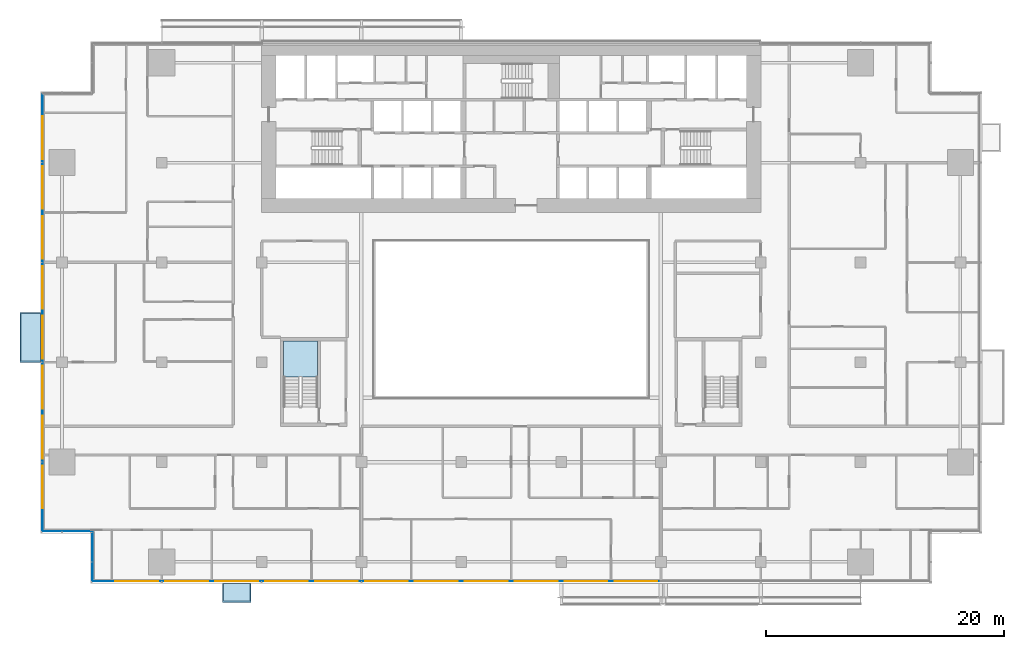
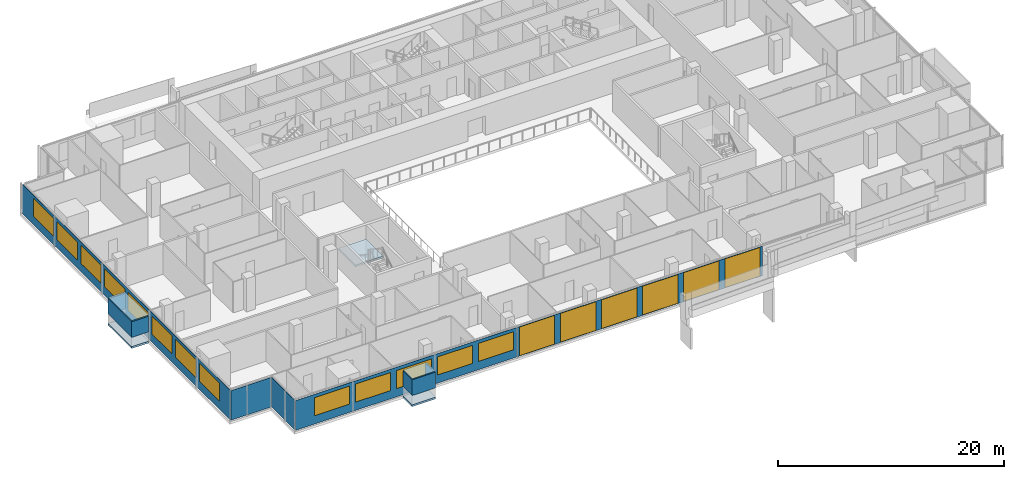
# One storey, part 14 of 27: 19 windows, 9 plates, 3 slabs, 19 openings, 5 elements without a shape of their own.
"""IFC4 building model written with IfcOpenShell, lengths in metres."""

from ifc_helpers import new_model, si_unit, direction, frame, frame_2d, origin, place, context, subcontext, project, spatial, polyline, rectangle, outline, extrude, material, layer, layer_set, type_object, element, fill, aggregate, save


model = new_model("IFC4")

# Units and contexts
model_context = context("Model", 3, precision=1e-05, world=origin(), true_north=direction((0.0, 1.0)))
body_context = subcontext(model_context, "Body", "Model", "MODEL_VIEW")
ifc_project = project(units=[si_unit("LENGTHUNIT", "METRE"), si_unit("AREAUNIT", "SQUARE_METRE"), si_unit("VOLUMEUNIT", "CUBIC_METRE"), si_unit("PLANEANGLEUNIT", "RADIAN"), si_unit("MASSUNIT", "GRAM", prefix="KILO")], contexts=[model_context])

# Site, building, storey
site_placement = place(None, origin())
site = spatial("IfcSite", under=ifc_project, at=site_placement, CompositionType="ELEMENT")
building_placement = place(site_placement, origin())
building = spatial("IfcBuilding", under=site, at=building_placement, Name="Saffron Gate Tower", CompositionType="ELEMENT")
storey_placement = place(building_placement, frame((0.0, 0.0, 66.0)))
storey = spatial("IfcBuildingStorey", under=building, at=storey_placement, Name="L15", CompositionType="ELEMENT", Elevation=66.0)

# Curtain wall, plates, openings, windows
ifc_material_1 = material(Name="Aluminium, bronze anodised", Category="aluminium")
curtain_wall_type_1 = type_object("IfcCurtainWallType", Name="CWS1 curtain wall front facade", PredefinedType="NOTDEFINED", material=ifc_material_1)
curtain_wall_1_placement = place(storey_placement, origin())
curtain_wall_1 = element("IfcCurtainWall", 1, at=curtain_wall_1_placement, inside=storey, type_object=curtain_wall_type_1, Name="CWS1 run 1", PredefinedType="NOTDEFINED")
ifc_material_2 = material(Name="Clear low-iron laminated glass", Category="glass")
ifc_layer_1 = layer(ifc_material_2, 0.028076171875)
ifc_layer_set_1 = layer_set([ifc_layer_1], Name="CWS1 clear glass")
plate_type_1 = type_object("IfcPlateType", Name="CWS1 clear glass", PredefinedType="CURTAIN_PANEL", material=ifc_layer_set_1)
plate_1_placement = place(storey_placement, frame((75.030029296875, 30.174072265625, 0.0), z_axis=(0.0, 0.0, 1.0), x_axis=(1.0, 0.0, 0.0)))
plate_1 = element("IfcPlate", 2, at=plate_1_placement, type_object=plate_type_1, Name="CWS1 clear glass panel", PredefinedType="CURTAIN_PANEL", context=body_context, shape_type="SweptSolid", body=[
    extrude(rectangle(XDim=25.139892578125, YDim=0.028076171875, at=frame_2d((12.56982421875, 0.0))), origin(), (0.0, 0.0, 1.0), 3.199951171875),
])
opening_1_placement = place(plate_1_placement, frame((0.27001953125, 0.0, 0.050048828125)))
opening_1 = element("IfcOpeningElement", 3, at=opening_1_placement, cuts=plate_1, Name="Opening WA", PredefinedType="OPENING", context=body_context, shape_type="SweptSolid", body=[
    extrude(rectangle(XDim=3.60009765625, YDim=3.10009765625, at=frame_2d((1.800048828125, 1.550048828125))), frame((0.0, 0.02392578125, 0.0), z_axis=(0.0, -1.0, 0.0), x_axis=(1.0, 0.0, 0.0)), (0.0, 0.0, 1.0), 0.048095703125),
])
opening_2_placement = place(plate_1_placement, frame((4.469970703125, 0.0, 0.050048828125)))
opening_2 = element("IfcOpeningElement", 4, at=opening_2_placement, cuts=plate_1, Name="Opening WA", PredefinedType="OPENING", context=body_context, shape_type="SweptSolid", body=[
    extrude(rectangle(XDim=3.60009765625, YDim=3.10009765625, at=frame_2d((1.800048828125, 1.550048828125))), frame((0.0, 0.02392578125, 0.0), z_axis=(0.0, -1.0, 0.0), x_axis=(1.0, 0.0, 0.0)), (0.0, 0.0, 1.0), 0.048095703125),
])
opening_3_placement = place(plate_1_placement, frame((8.669921875, 0.0, 0.050048828125)))
opening_3 = element("IfcOpeningElement", 5, at=opening_3_placement, cuts=plate_1, Name="Opening WA", PredefinedType="OPENING", context=body_context, shape_type="SweptSolid", body=[
    extrude(rectangle(XDim=3.60009765625, YDim=3.10009765625, at=frame_2d((1.800048828125, 1.550048828125))), frame((0.0, 0.02392578125, 0.0), z_axis=(0.0, -1.0, 0.0), x_axis=(1.0, 0.0, 0.0)), (0.0, 0.0, 1.0), 0.048095703125),
])
opening_4_placement = place(plate_1_placement, frame((12.8701171875, 0.0, 0.050048828125)))
opening_4 = element("IfcOpeningElement", 6, at=opening_4_placement, cuts=plate_1, Name="Opening WA", PredefinedType="OPENING", context=body_context, shape_type="SweptSolid", body=[
    extrude(rectangle(XDim=3.60009765625, YDim=3.10009765625, at=frame_2d((1.800048828125, 1.550048828125))), frame((0.0, 0.02392578125, 0.0), z_axis=(0.0, -1.0, 0.0), x_axis=(1.0, 0.0, 0.0)), (0.0, 0.0, 1.0), 0.048095703125),
])
opening_5_placement = place(plate_1_placement, frame((17.070068359375, 0.0, 0.050048828125)))
opening_5 = element("IfcOpeningElement", 7, at=opening_5_placement, cuts=plate_1, Name="Opening WA", PredefinedType="OPENING", context=body_context, shape_type="SweptSolid", body=[
    extrude(rectangle(XDim=3.60009765625, YDim=3.10009765625, at=frame_2d((1.800048828125, 1.550048828125))), frame((0.0, 0.02392578125, 0.0), z_axis=(0.0, -1.0, 0.0), x_axis=(1.0, 0.0, 0.0)), (0.0, 0.0, 1.0), 0.048095703125),
])
opening_6_placement = place(plate_1_placement, frame((21.27001953125, 0.0, 0.050048828125)))
opening_6 = element("IfcOpeningElement", 8, at=opening_6_placement, cuts=plate_1, Name="Opening WA", PredefinedType="OPENING", context=body_context, shape_type="SweptSolid", body=[
    extrude(rectangle(XDim=3.60009765625, YDim=3.10009765625, at=frame_2d((1.800048828125, 1.550048828125))), frame((0.0, 0.02392578125, 0.0), z_axis=(0.0, -1.0, 0.0), x_axis=(1.0, 0.0, 0.0)), (0.0, 0.0, 1.0), 0.048095703125),
])
ifc_material_3 = material(Name="Clear low-iron laminated glass in bronze frame", Category="glass")
ifc_layer_2 = layer(ifc_material_3, 0.06005859375)
ifc_layer_set_2 = layer_set([ifc_layer_2], Name="WA operable atrium unit 3600x3100")
window_type_1 = type_object("IfcWindowType", Name="WA operable atrium unit 3600x3100", PartitioningType="DOUBLE_PANEL_HORIZONTAL", PredefinedType="WINDOW", material=ifc_layer_set_2)
window_1_placement = place(opening_1_placement, origin())
window_1 = element("IfcWindow", 9, at=window_1_placement, type_object=window_type_1, Name="WA operable atrium unit", OverallHeight=3.10009765625, OverallWidth=3.60009765625, PartitioningType="SINGLE_PANEL", PredefinedType="WINDOW", context=body_context, shape_type="SweptSolid", body=[
    extrude(rectangle(XDim=3.60009765625, YDim=3.10009765625, at=frame_2d((1.800048828125, 1.550048828125))), frame((0.0, 0.013671875, 0.0), z_axis=(0.0, -1.0, 0.0), x_axis=(1.0, 0.0, 0.0)), (0.0, 0.0, 1.0), 0.027587890625),
])
fill(opening_1, window_1)
window_2_placement = place(opening_2_placement, origin())
window_2 = element("IfcWindow", 10, at=window_2_placement, type_object=window_type_1, Name="WA operable atrium unit", OverallHeight=3.10009765625, OverallWidth=3.60009765625, PartitioningType="SINGLE_PANEL", PredefinedType="WINDOW", context=body_context, shape_type="SweptSolid", body=[
    extrude(rectangle(XDim=3.60009765625, YDim=3.10009765625, at=frame_2d((1.800048828125, 1.550048828125))), frame((0.0, 0.013671875, 0.0), z_axis=(0.0, -1.0, 0.0), x_axis=(1.0, 0.0, 0.0)), (0.0, 0.0, 1.0), 0.027587890625),
])
fill(opening_2, window_2)
window_3_placement = place(opening_3_placement, origin())
window_3 = element("IfcWindow", 11, at=window_3_placement, type_object=window_type_1, Name="WA operable atrium unit", OverallHeight=3.10009765625, OverallWidth=3.60009765625, PartitioningType="SINGLE_PANEL", PredefinedType="WINDOW", context=body_context, shape_type="SweptSolid", body=[
    extrude(rectangle(XDim=3.60009765625, YDim=3.10009765625, at=frame_2d((1.800048828125, 1.550048828125))), frame((0.0, 0.013671875, 0.0), z_axis=(0.0, -1.0, 0.0), x_axis=(1.0, 0.0, 0.0)), (0.0, 0.0, 1.0), 0.027587890625),
])
fill(opening_3, window_3)
window_4_placement = place(opening_4_placement, origin())
window_4 = element("IfcWindow", 12, at=window_4_placement, type_object=window_type_1, Name="WA operable atrium unit", OverallHeight=3.10009765625, OverallWidth=3.60009765625, PartitioningType="SINGLE_PANEL", PredefinedType="WINDOW", context=body_context, shape_type="SweptSolid", body=[
    extrude(rectangle(XDim=3.60009765625, YDim=3.10009765625, at=frame_2d((1.800048828125, 1.550048828125))), frame((0.0, 0.013671875, 0.0), z_axis=(0.0, -1.0, 0.0), x_axis=(1.0, 0.0, 0.0)), (0.0, 0.0, 1.0), 0.027587890625),
])
fill(opening_4, window_4)
window_5_placement = place(opening_5_placement, origin())
window_5 = element("IfcWindow", 13, at=window_5_placement, type_object=window_type_1, Name="WA operable atrium unit", OverallHeight=3.10009765625, OverallWidth=3.60009765625, PartitioningType="SINGLE_PANEL", PredefinedType="WINDOW", context=body_context, shape_type="SweptSolid", body=[
    extrude(rectangle(XDim=3.60009765625, YDim=3.10009765625, at=frame_2d((1.800048828125, 1.550048828125))), frame((0.0, 0.013671875, 0.0), z_axis=(0.0, -1.0, 0.0), x_axis=(1.0, 0.0, 0.0)), (0.0, 0.0, 1.0), 0.027587890625),
])
fill(opening_5, window_5)
window_6_placement = place(opening_6_placement, origin())
window_6 = element("IfcWindow", 14, at=window_6_placement, type_object=window_type_1, Name="WA operable atrium unit", OverallHeight=3.10009765625, OverallWidth=3.60009765625, PartitioningType="SINGLE_PANEL", PredefinedType="WINDOW", context=body_context, shape_type="SweptSolid", body=[
    extrude(rectangle(XDim=3.60009765625, YDim=3.10009765625, at=frame_2d((1.800048828125, 1.550048828125))), frame((0.0, 0.013671875, 0.0), z_axis=(0.0, -1.0, 0.0), x_axis=(1.0, 0.0, 0.0)), (0.0, 0.0, 1.0), 0.027587890625),
])
fill(opening_6, window_6)
ifc_material_4 = material(Name="Fritted bronze-tinted laminated glass", Category="glass")
ifc_layer_3 = layer(ifc_material_4, 0.028076171875)
ifc_layer_set_3 = layer_set([ifc_layer_3], Name="CWS1 fixed glass")
plate_type_2 = type_object("IfcPlateType", Name="CWS1 fixed glass", PredefinedType="CURTAIN_PANEL", material=ifc_layer_set_3)
plate_2_placement = place(storey_placement, frame((52.387939453125, 30.174072265625, 0.0), z_axis=(0.0, 0.0, 1.0), x_axis=(1.0, 0.0, 0.0)))
plate_2 = element("IfcPlate", 15, at=plate_2_placement, type_object=plate_type_2, Name="CWS1 glass panel", PredefinedType="CURTAIN_PANEL", context=body_context, shape_type="SweptSolid", body=[
    extrude(rectangle(XDim=22.64208984375, YDim=0.028076171875, at=frame_2d((11.321044921875, 0.0))), origin(), (0.0, 0.0, 1.0), 3.199951171875),
])
opening_7_placement = place(plate_2_placement, frame((1.912109375, 0.0, 0.89990234375)))
opening_7 = element("IfcOpeningElement", 16, at=opening_7_placement, cuts=plate_2, Name="Opening W1", PredefinedType="OPENING", context=body_context, shape_type="SweptSolid", body=[
    extrude(rectangle(XDim=3.60009765625, YDim=1.949951171875, at=frame_2d((1.800048828125, 0.97509765625))), frame((0.0, 0.02392578125, 0.0), z_axis=(0.0, -1.0, 0.0), x_axis=(1.0, 0.0, 0.0)), (0.0, 0.0, 1.0), 0.048095703125),
])
opening_8_placement = place(plate_2_placement, frame((6.112060546875, 0.0, 0.89990234375)))
opening_8 = element("IfcOpeningElement", 17, at=opening_8_placement, cuts=plate_2, Name="Opening W1", PredefinedType="OPENING", context=body_context, shape_type="SweptSolid", body=[
    extrude(rectangle(XDim=3.60009765625, YDim=1.949951171875, at=frame_2d((1.800048828125, 0.97509765625))), frame((0.0, 0.02392578125, 0.0), z_axis=(0.0, -1.0, 0.0), x_axis=(1.0, 0.0, 0.0)), (0.0, 0.0, 1.0), 0.048095703125),
])
opening_9_placement = place(plate_2_placement, frame((10.31201171875, 0.0, 0.89990234375)))
opening_9 = element("IfcOpeningElement", 18, at=opening_9_placement, cuts=plate_2, Name="Opening W1", PredefinedType="OPENING", context=body_context, shape_type="SweptSolid", body=[
    extrude(rectangle(XDim=3.60009765625, YDim=1.949951171875, at=frame_2d((1.800048828125, 0.97509765625))), frame((0.0, 0.02392578125, 0.0), z_axis=(0.0, -1.0, 0.0), x_axis=(1.0, 0.0, 0.0)), (0.0, 0.0, 1.0), 0.048095703125),
])
opening_10_placement = place(plate_2_placement, frame((14.511962890625, 0.0, 0.89990234375)))
opening_10 = element("IfcOpeningElement", 19, at=opening_10_placement, cuts=plate_2, Name="Opening W1", PredefinedType="OPENING", context=body_context, shape_type="SweptSolid", body=[
    extrude(rectangle(XDim=3.60009765625, YDim=1.949951171875, at=frame_2d((1.800048828125, 0.97509765625))), frame((0.0, 0.02392578125, 0.0), z_axis=(0.0, -1.0, 0.0), x_axis=(1.0, 0.0, 0.0)), (0.0, 0.0, 1.0), 0.048095703125),
])
opening_11_placement = place(plate_2_placement, frame((18.7119140625, 0.0, 0.89990234375)))
opening_11 = element("IfcOpeningElement", 20, at=opening_11_placement, cuts=plate_2, Name="Opening W1", PredefinedType="OPENING", context=body_context, shape_type="SweptSolid", body=[
    extrude(rectangle(XDim=3.60009765625, YDim=1.949951171875, at=frame_2d((1.800048828125, 0.97509765625))), frame((0.0, 0.02392578125, 0.0), z_axis=(0.0, -1.0, 0.0), x_axis=(1.0, 0.0, 0.0)), (0.0, 0.0, 1.0), 0.048095703125),
])
ifc_material_5 = material(Name="Fritted bronze-tinted laminated glass in bronze frame", Category="glass")
ifc_layer_4 = layer(ifc_material_5, 0.06005859375)
ifc_layer_set_4 = layer_set([ifc_layer_4], Name="W1 operable panel 3600x1950")
window_type_2 = type_object("IfcWindowType", Name="W1 operable panel 3600x1950", PartitioningType="DOUBLE_PANEL_HORIZONTAL", PredefinedType="WINDOW", material=ifc_layer_set_4)
window_7_placement = place(opening_7_placement, origin())
window_7 = element("IfcWindow", 21, at=window_7_placement, type_object=window_type_2, Name="W1 operable panel", OverallHeight=1.949951171875, OverallWidth=3.60009765625, PartitioningType="SINGLE_PANEL", PredefinedType="WINDOW", context=body_context, shape_type="SweptSolid", body=[
    extrude(rectangle(XDim=3.60009765625, YDim=1.949951171875, at=frame_2d((1.800048828125, 0.97509765625))), frame((0.0, 0.013671875, 0.0), z_axis=(0.0, -1.0, 0.0), x_axis=(1.0, 0.0, 0.0)), (0.0, 0.0, 1.0), 0.027587890625),
])
fill(opening_7, window_7)
window_8_placement = place(opening_8_placement, origin())
window_8 = element("IfcWindow", 22, at=window_8_placement, type_object=window_type_2, Name="W1 operable panel", OverallHeight=1.949951171875, OverallWidth=3.60009765625, PartitioningType="SINGLE_PANEL", PredefinedType="WINDOW", context=body_context, shape_type="SweptSolid", body=[
    extrude(rectangle(XDim=3.60009765625, YDim=1.949951171875, at=frame_2d((1.800048828125, 0.97509765625))), frame((0.0, 0.013671875, 0.0), z_axis=(0.0, -1.0, 0.0), x_axis=(1.0, 0.0, 0.0)), (0.0, 0.0, 1.0), 0.027587890625),
])
fill(opening_8, window_8)
window_9_placement = place(opening_9_placement, origin())
window_9 = element("IfcWindow", 23, at=window_9_placement, type_object=window_type_2, Name="W1 operable panel", OverallHeight=1.949951171875, OverallWidth=3.60009765625, PartitioningType="SINGLE_PANEL", PredefinedType="WINDOW", context=body_context, shape_type="SweptSolid", body=[
    extrude(rectangle(XDim=3.60009765625, YDim=1.949951171875, at=frame_2d((1.800048828125, 0.97509765625))), frame((0.0, 0.013671875, 0.0), z_axis=(0.0, -1.0, 0.0), x_axis=(1.0, 0.0, 0.0)), (0.0, 0.0, 1.0), 0.027587890625),
])
fill(opening_9, window_9)
window_10_placement = place(opening_10_placement, origin())
window_10 = element("IfcWindow", 24, at=window_10_placement, type_object=window_type_2, Name="W1 operable panel", OverallHeight=1.949951171875, OverallWidth=3.60009765625, PartitioningType="SINGLE_PANEL", PredefinedType="WINDOW", context=body_context, shape_type="SweptSolid", body=[
    extrude(rectangle(XDim=3.60009765625, YDim=1.949951171875, at=frame_2d((1.800048828125, 0.97509765625))), frame((0.0, 0.013671875, 0.0), z_axis=(0.0, -1.0, 0.0), x_axis=(1.0, 0.0, 0.0)), (0.0, 0.0, 1.0), 0.027587890625),
])
fill(opening_10, window_10)
window_11_placement = place(opening_11_placement, origin())
window_11 = element("IfcWindow", 25, at=window_11_placement, type_object=window_type_2, Name="W1 operable panel", OverallHeight=1.949951171875, OverallWidth=3.60009765625, PartitioningType="SINGLE_PANEL", PredefinedType="WINDOW", context=body_context, shape_type="SweptSolid", body=[
    extrude(rectangle(XDim=3.60009765625, YDim=1.949951171875, at=frame_2d((1.800048828125, 0.97509765625))), frame((0.0, 0.013671875, 0.0), z_axis=(0.0, -1.0, 0.0), x_axis=(1.0, 0.0, 0.0)), (0.0, 0.0, 1.0), 0.027587890625),
])
fill(opening_11, window_11)
aggregate(curtain_wall_1, [plate_2, plate_1, window_7, window_8, window_9, window_10, window_11, window_1, window_2, window_3, window_4, window_5, window_6])

# Curtain wall, plate, openings, windows
curtain_wall_type_2 = type_object("IfcCurtainWallType", Name="CWS2 curtain wall side facades", PredefinedType="NOTDEFINED", material=ifc_material_1)
curtain_wall_2_placement = place(storey_placement, origin())
curtain_wall_2 = element("IfcCurtainWall", 26, at=curtain_wall_2_placement, inside=storey, type_object=curtain_wall_type_2, Name="CWS2 run 10", PredefinedType="NOTDEFINED")
ifc_layer_5 = layer(ifc_material_4, 0.028076171875)
ifc_layer_set_5 = layer_set([ifc_layer_5], Name="CWS2 fixed glass")
plate_type_3 = type_object("IfcPlateType", Name="CWS2 fixed glass", PredefinedType="CURTAIN_PANEL", material=ifc_layer_set_5)
plate_3_placement = place(storey_placement, frame((48.174072265625, 71.2119140625, 0.0), z_axis=(0.0, 0.0, 1.0), x_axis=(0.0, -1.0, 0.0)))
plate_3 = element("IfcPlate", 27, at=plate_3_placement, type_object=plate_type_3, Name="CWS2 glass panel", PredefinedType="CURTAIN_PANEL", context=body_context, shape_type="SweptSolid", body=[
    extrude(rectangle(XDim=36.823974609375, YDim=0.028076171875, at=frame_2d((18.412109375, 0.0))), origin(), (0.0, 0.0, 1.0), 3.199951171875),
])
opening_12_placement = place(plate_3_placement, frame((1.912109375, 0.0, 0.89990234375)))
opening_12 = element("IfcOpeningElement", 28, at=opening_12_placement, cuts=plate_3, Name="Opening W1", PredefinedType="OPENING", context=body_context, shape_type="SweptSolid", body=[
    extrude(rectangle(XDim=3.60009765625, YDim=1.949951171875, at=frame_2d((1.800048828125, 0.97509765625))), frame((0.0, 0.02392578125, 0.0), z_axis=(0.0, -1.0, 0.0), x_axis=(1.0, 0.0, 0.0)), (0.0, 0.0, 1.0), 0.048095703125),
])
opening_13_placement = place(plate_3_placement, frame((6.112060546875, 0.0, 0.89990234375)))
opening_13 = element("IfcOpeningElement", 29, at=opening_13_placement, cuts=plate_3, Name="Opening W1", PredefinedType="OPENING", context=body_context, shape_type="SweptSolid", body=[
    extrude(rectangle(XDim=3.60009765625, YDim=1.949951171875, at=frame_2d((1.800048828125, 0.97509765625))), frame((0.0, 0.02392578125, 0.0), z_axis=(0.0, -1.0, 0.0), x_axis=(1.0, 0.0, 0.0)), (0.0, 0.0, 1.0), 0.048095703125),
])
opening_14_placement = place(plate_3_placement, frame((10.31201171875, 0.0, 0.89990234375)))
opening_14 = element("IfcOpeningElement", 30, at=opening_14_placement, cuts=plate_3, Name="Opening W1", PredefinedType="OPENING", context=body_context, shape_type="SweptSolid", body=[
    extrude(rectangle(XDim=3.60009765625, YDim=1.949951171875, at=frame_2d((1.800048828125, 0.97509765625))), frame((0.0, 0.02392578125, 0.0), z_axis=(0.0, -1.0, 0.0), x_axis=(1.0, 0.0, 0.0)), (0.0, 0.0, 1.0), 0.048095703125),
])
opening_15_placement = place(plate_3_placement, frame((14.511962890625, 0.0, 0.89990234375)))
opening_15 = element("IfcOpeningElement", 31, at=opening_15_placement, cuts=plate_3, Name="Opening W1", PredefinedType="OPENING", context=body_context, shape_type="SweptSolid", body=[
    extrude(rectangle(XDim=3.60009765625, YDim=1.949951171875, at=frame_2d((1.800048828125, 0.97509765625))), frame((0.0, 0.02392578125, 0.0), z_axis=(0.0, -1.0, 0.0), x_axis=(1.0, 0.0, 0.0)), (0.0, 0.0, 1.0), 0.048095703125),
])
opening_16_placement = place(plate_3_placement, frame((18.7119140625, 0.0, 0.89990234375)))
opening_16 = element("IfcOpeningElement", 32, at=opening_16_placement, cuts=plate_3, Name="Opening W1", PredefinedType="OPENING", context=body_context, shape_type="SweptSolid", body=[
    extrude(rectangle(XDim=3.60009765625, YDim=1.949951171875, at=frame_2d((1.800048828125, 0.97509765625))), frame((0.0, 0.02392578125, 0.0), z_axis=(0.0, -1.0, 0.0), x_axis=(1.0, 0.0, 0.0)), (0.0, 0.0, 1.0), 0.048095703125),
])
opening_17_placement = place(plate_3_placement, frame((22.912109375, 0.0, 0.89990234375)))
opening_17 = element("IfcOpeningElement", 33, at=opening_17_placement, cuts=plate_3, Name="Opening W1", PredefinedType="OPENING", context=body_context, shape_type="SweptSolid", body=[
    extrude(rectangle(XDim=3.60009765625, YDim=1.949951171875, at=frame_2d((1.800048828125, 0.97509765625))), frame((0.0, 0.02392578125, 0.0), z_axis=(0.0, -1.0, 0.0), x_axis=(1.0, 0.0, 0.0)), (0.0, 0.0, 1.0), 0.048095703125),
])
opening_18_placement = place(plate_3_placement, frame((27.112060546875, 0.0, 0.89990234375)))
opening_18 = element("IfcOpeningElement", 34, at=opening_18_placement, cuts=plate_3, Name="Opening W1", PredefinedType="OPENING", context=body_context, shape_type="SweptSolid", body=[
    extrude(rectangle(XDim=3.60009765625, YDim=1.949951171875, at=frame_2d((1.800048828125, 0.97509765625))), frame((0.0, 0.02392578125, 0.0), z_axis=(0.0, -1.0, 0.0), x_axis=(1.0, 0.0, 0.0)), (0.0, 0.0, 1.0), 0.048095703125),
])
opening_19_placement = place(plate_3_placement, frame((31.31201171875, 0.0, 0.89990234375)))
opening_19 = element("IfcOpeningElement", 35, at=opening_19_placement, cuts=plate_3, Name="Opening W1", PredefinedType="OPENING", context=body_context, shape_type="SweptSolid", body=[
    extrude(rectangle(XDim=3.60009765625, YDim=1.949951171875, at=frame_2d((1.800048828125, 0.97509765625))), frame((0.0, 0.02392578125, 0.0), z_axis=(0.0, -1.0, 0.0), x_axis=(1.0, 0.0, 0.0)), (0.0, 0.0, 1.0), 0.048095703125),
])
window_12_placement = place(opening_12_placement, origin())
window_12 = element("IfcWindow", 36, at=window_12_placement, type_object=window_type_2, Name="W1 operable panel", OverallHeight=1.949951171875, OverallWidth=3.60009765625, PartitioningType="SINGLE_PANEL", PredefinedType="WINDOW", context=body_context, shape_type="SweptSolid", body=[
    extrude(rectangle(XDim=3.60009765625, YDim=1.949951171875, at=frame_2d((1.800048828125, 0.97509765625))), frame((0.0, 0.013671875, 0.0), z_axis=(0.0, -1.0, 0.0), x_axis=(1.0, 0.0, 0.0)), (0.0, 0.0, 1.0), 0.027587890625),
])
fill(opening_12, window_12)
window_13_placement = place(opening_13_placement, origin())
window_13 = element("IfcWindow", 37, at=window_13_placement, type_object=window_type_2, Name="W1 operable panel", OverallHeight=1.949951171875, OverallWidth=3.60009765625, PartitioningType="SINGLE_PANEL", PredefinedType="WINDOW", context=body_context, shape_type="SweptSolid", body=[
    extrude(rectangle(XDim=3.60009765625, YDim=1.949951171875, at=frame_2d((1.800048828125, 0.97509765625))), frame((0.0, 0.013671875, 0.0), z_axis=(0.0, -1.0, 0.0), x_axis=(1.0, 0.0, 0.0)), (0.0, 0.0, 1.0), 0.027587890625),
])
fill(opening_13, window_13)
window_14_placement = place(opening_14_placement, origin())
window_14 = element("IfcWindow", 38, at=window_14_placement, type_object=window_type_2, Name="W1 operable panel", OverallHeight=1.949951171875, OverallWidth=3.60009765625, PartitioningType="SINGLE_PANEL", PredefinedType="WINDOW", context=body_context, shape_type="SweptSolid", body=[
    extrude(rectangle(XDim=3.60009765625, YDim=1.949951171875, at=frame_2d((1.800048828125, 0.97509765625))), frame((0.0, 0.013671875, 0.0), z_axis=(0.0, -1.0, 0.0), x_axis=(1.0, 0.0, 0.0)), (0.0, 0.0, 1.0), 0.027587890625),
])
fill(opening_14, window_14)
window_15_placement = place(opening_15_placement, origin())
window_15 = element("IfcWindow", 39, at=window_15_placement, type_object=window_type_2, Name="W1 operable panel", OverallHeight=1.949951171875, OverallWidth=3.60009765625, PartitioningType="SINGLE_PANEL", PredefinedType="WINDOW", context=body_context, shape_type="SweptSolid", body=[
    extrude(rectangle(XDim=3.60009765625, YDim=1.949951171875, at=frame_2d((1.800048828125, 0.97509765625))), frame((0.0, 0.013671875, 0.0), z_axis=(0.0, -1.0, 0.0), x_axis=(1.0, 0.0, 0.0)), (0.0, 0.0, 1.0), 0.027587890625),
])
fill(opening_15, window_15)
window_16_placement = place(opening_16_placement, origin())
window_16 = element("IfcWindow", 40, at=window_16_placement, type_object=window_type_2, Name="W1 operable panel", OverallHeight=1.949951171875, OverallWidth=3.60009765625, PartitioningType="SINGLE_PANEL", PredefinedType="WINDOW", context=body_context, shape_type="SweptSolid", body=[
    extrude(rectangle(XDim=3.60009765625, YDim=1.949951171875, at=frame_2d((1.800048828125, 0.97509765625))), frame((0.0, 0.013671875, 0.0), z_axis=(0.0, -1.0, 0.0), x_axis=(1.0, 0.0, 0.0)), (0.0, 0.0, 1.0), 0.027587890625),
])
fill(opening_16, window_16)
window_17_placement = place(opening_17_placement, origin())
window_17 = element("IfcWindow", 41, at=window_17_placement, type_object=window_type_2, Name="W1 operable panel", OverallHeight=1.949951171875, OverallWidth=3.60009765625, PartitioningType="SINGLE_PANEL", PredefinedType="WINDOW", context=body_context, shape_type="SweptSolid", body=[
    extrude(rectangle(XDim=3.60009765625, YDim=1.949951171875, at=frame_2d((1.800048828125, 0.97509765625))), frame((0.0, 0.013671875, 0.0), z_axis=(0.0, -1.0, 0.0), x_axis=(1.0, 0.0, 0.0)), (0.0, 0.0, 1.0), 0.027587890625),
])
fill(opening_17, window_17)
window_18_placement = place(opening_18_placement, origin())
window_18 = element("IfcWindow", 42, at=window_18_placement, type_object=window_type_2, Name="W1 operable panel", OverallHeight=1.949951171875, OverallWidth=3.60009765625, PartitioningType="SINGLE_PANEL", PredefinedType="WINDOW", context=body_context, shape_type="SweptSolid", body=[
    extrude(rectangle(XDim=3.60009765625, YDim=1.949951171875, at=frame_2d((1.800048828125, 0.97509765625))), frame((0.0, 0.013671875, 0.0), z_axis=(0.0, -1.0, 0.0), x_axis=(1.0, 0.0, 0.0)), (0.0, 0.0, 1.0), 0.027587890625),
])
fill(opening_18, window_18)
window_19_placement = place(opening_19_placement, origin())
window_19 = element("IfcWindow", 43, at=window_19_placement, type_object=window_type_2, Name="W1 operable panel", OverallHeight=1.949951171875, OverallWidth=3.60009765625, PartitioningType="SINGLE_PANEL", PredefinedType="WINDOW", context=body_context, shape_type="SweptSolid", body=[
    extrude(rectangle(XDim=3.60009765625, YDim=1.949951171875, at=frame_2d((1.800048828125, 0.97509765625))), frame((0.0, 0.013671875, 0.0), z_axis=(0.0, -1.0, 0.0), x_axis=(1.0, 0.0, 0.0)), (0.0, 0.0, 1.0), 0.027587890625),
])
fill(opening_19, window_19)
aggregate(curtain_wall_2, [plate_3, window_12, window_13, window_14, window_15, window_16, window_17, window_18, window_19])

# Curtain wall, plate
curtain_wall_type_3 = type_object("IfcCurtainWallType", Name="CWS4 curtain wall corner returns", PredefinedType="NOTDEFINED", material=ifc_material_1)
curtain_wall_3_placement = place(storey_placement, origin())
curtain_wall_3 = element("IfcCurtainWall", 44, at=curtain_wall_3_placement, inside=storey, type_object=curtain_wall_type_3, Name="CWS4 run 11", PredefinedType="NOTDEFINED")
ifc_layer_6 = layer(ifc_material_4, 0.028076171875)
ifc_layer_set_6 = layer_set([ifc_layer_6], Name="CWS4 fixed glass")
plate_type_4 = type_object("IfcPlateType", Name="CWS4 fixed glass", PredefinedType="CURTAIN_PANEL", material=ifc_layer_set_6)
plate_4_placement = place(storey_placement, frame((48.18798828125, 34.3740234375, 0.0), z_axis=(0.0, 0.0, 1.0), x_axis=(1.0, 0.0, 0.0)))
plate_4 = element("IfcPlate", 45, at=plate_4_placement, type_object=plate_type_4, Name="CWS4 glass panel", PredefinedType="CURTAIN_PANEL", context=body_context, shape_type="SweptSolid", body=[
    extrude(rectangle(XDim=4.172119140625, YDim=0.028076171875, at=frame_2d((2.0859375, 0.0))), origin(), (0.0, 0.0, 1.0), 3.199951171875),
])
aggregate(curtain_wall_3, [plate_4])

curtain_wall_4_placement = place(storey_placement, origin())
curtain_wall_4 = element("IfcCurtainWall", 46, at=curtain_wall_4_placement, inside=storey, type_object=curtain_wall_type_3, Name="CWS4 run 12", PredefinedType="NOTDEFINED")
plate_5_placement = place(storey_placement, frame((52.3740234375, 34.360107421875, 0.0), z_axis=(0.0, 0.0, 1.0), x_axis=(0.0, -1.0, 0.0)))
plate_5 = element("IfcPlate", 47, at=plate_5_placement, type_object=plate_type_4, Name="CWS4 glass panel", PredefinedType="CURTAIN_PANEL", context=body_context, shape_type="SweptSolid", body=[
    extrude(rectangle(XDim=4.172119140625, YDim=0.028076171875, at=frame_2d((2.0859375, 0.0))), origin(), (0.0, 0.0, 1.0), 3.199951171875),
])
aggregate(curtain_wall_4, [plate_5])

# Stair, slab
ifc_material_6 = material(Name="Concrete C40", Category="concrete")
stair_type = type_object("IfcStairType", Name="ST7 Stair 1350 wide, 20 risers of 180", PredefinedType="HALF_TURN_STAIR", material=ifc_material_6)
stair_placement = place(storey_placement, origin())
stair = element("IfcStair", 48, at=stair_placement, inside=storey, type_object=stair_type, Name="L15 Exit stair D", PredefinedType="HALF_TURN_STAIR")
ifc_layer_7 = layer(ifc_material_6, 0.199951171875)
ifc_layer_set_7 = layer_set([ifc_layer_7], Name="SL1 Stair landing 200")
slab_type_1 = type_object("IfcSlabType", Name="SL1 Stair landing 200", PredefinedType="LANDING", material=ifc_layer_set_7)
slab_1_placement = place(storey_placement, frame((0.0, 0.0, 1.60009765625)))
slab_1 = element("IfcSlab", 49, at=slab_1_placement, type_object=slab_type_1, Name="ST-D landing 1", PredefinedType="LANDING", context=body_context, shape_type="SweptSolid", body=[
    extrude(outline(polyline([(71.300048828125, 47.3701171875), (71.300048828125, 50.39990234375), (68.449951171875, 50.39990234375), (68.449951171875, 47.3701171875), (71.300048828125, 47.3701171875)])), origin(), (0.0, 0.0, 1.0), 0.199951171875),
])
aggregate(stair, [slab_1])

# Slabs
ifc_material_7 = material(Name="Timber deck on bronze frame", Category="wood")
ifc_layer_8 = layer(ifc_material_7, 0.199951171875)
ifc_layer_set_8 = layer_set([ifc_layer_8], Name="WB1 box floor")
slab_type_2 = type_object("IfcSlabType", Name="WB1 box floor", PredefinedType="FLOOR", material=ifc_layer_set_8)
slab_2_placement = place(storey_placement, frame((0.0, 0.0, -0.199951171875)))
element("IfcSlab", 50, at=slab_2_placement, inside=storey, type_object=slab_type_2, Name="WINDOW BOX floor", PredefinedType="FLOOR", context=body_context, shape_type="SweptSolid", body=[
    extrude(outline(polyline([(63.300048828125, 30.0), (65.699951171875, 30.0), (65.699951171875, 28.39990234375), (63.300048828125, 28.39990234375), (63.300048828125, 30.0)])), origin(), (0.0, 0.0, 1.0), 0.199951171875),
])
slab_3_placement = place(storey_placement, frame((0.0, 0.0, -0.199951171875)))
element("IfcSlab", 51, at=slab_3_placement, inside=storey, type_object=slab_type_2, Name="WINDOW BOX floor", PredefinedType="FLOOR", context=body_context, shape_type="SweptSolid", body=[
    extrude(outline(polyline([(48.0, 52.800048828125), (48.0, 48.60009765625), (46.26708984375, 48.60009765625), (46.26708984375, 52.800048828125), (48.0, 52.800048828125)])), origin(), (0.0, 0.0, 1.0), 0.199951171875),
])

# Plates
ifc_layer_9 = layer(ifc_material_1, 0.1201171875)
ifc_layer_set_9 = layer_set([ifc_layer_9], Name="WB2 box roof")
plate_type_5 = type_object("IfcPlateType", Name="WB2 box roof", PredefinedType="SHEET", material=ifc_layer_set_9)
plate_6_placement = place(storey_placement, frame((0.0, 0.0, 2.699951171875)))
element("IfcPlate", 52, at=plate_6_placement, inside=storey, type_object=plate_type_5, Name="WINDOW BOX roof", PredefinedType="SHEET", context=body_context, shape_type="SweptSolid", body=[
    extrude(outline(polyline([(63.300048828125, 30.0), (65.699951171875, 30.0), (65.699951171875, 28.39990234375), (63.300048828125, 28.39990234375), (63.300048828125, 30.0)])), origin(), (0.0, 0.0, 1.0), 0.1201171875),
])
plate_7_placement = place(storey_placement, frame((0.0, 0.0, 2.699951171875)))
element("IfcPlate", 53, at=plate_7_placement, inside=storey, type_object=plate_type_5, Name="WINDOW BOX roof", PredefinedType="SHEET", context=body_context, shape_type="SweptSolid", body=[
    extrude(outline(polyline([(48.0, 52.800048828125), (48.0, 48.60009765625), (46.26708984375, 48.60009765625), (46.26708984375, 52.800048828125), (48.0, 52.800048828125)])), origin(), (0.0, 0.0, 1.0), 0.1201171875),
])
ifc_layer_10 = layer(ifc_material_2, 0.10009765625)
ifc_layer_set_10 = layer_set([ifc_layer_10], Name="WB6 box glazing")
plate_type_6 = type_object("IfcPlateType", Name="WB6 box glazing", PredefinedType="SHEET", material=ifc_layer_set_10)
plate_8_placement = place(storey_placement, frame((0.0, 0.0, 1.0)))
element("IfcPlate", 54, at=plate_8_placement, inside=storey, type_object=plate_type_6, Name="WINDOW BOX glazing", PredefinedType="SHEET", context=body_context, shape_type="SweptSolid", body=[
    extrude(outline(polyline([(63.300048828125, 30.0), (63.39990234375, 30.0), (63.39990234375, 28.5), (65.60009765625, 28.5), (65.60009765625, 30.0), (65.699951171875, 30.0), (65.699951171875, 28.39990234375), (63.300048828125, 28.39990234375), (63.300048828125, 30.0)])), origin(), (0.0, 0.0, 1.0), 1.699951171875),
])
plate_9_placement = place(storey_placement, frame((0.0, 0.0, 1.0)))
element("IfcPlate", 55, at=plate_9_placement, inside=storey, type_object=plate_type_6, Name="WINDOW BOX glazing", PredefinedType="SHEET", context=body_context, shape_type="SweptSolid", body=[
    extrude(outline(polyline([(48.0, 52.800048828125), (48.0, 52.699951171875), (46.366943359375, 52.699951171875), (46.366943359375, 48.699951171875), (48.0, 48.699951171875), (48.0, 48.60009765625), (46.26708984375, 48.60009765625), (46.26708984375, 52.800048828125), (48.0, 52.800048828125)])), origin(), (0.0, 0.0, 1.0), 1.699951171875),
])

save(model, "model.ifc")
